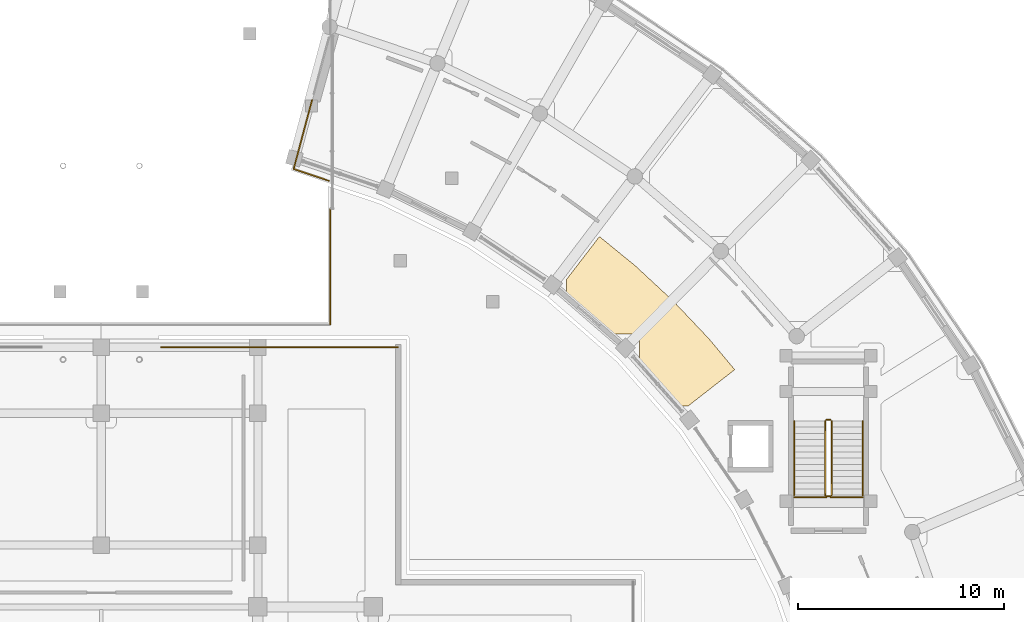
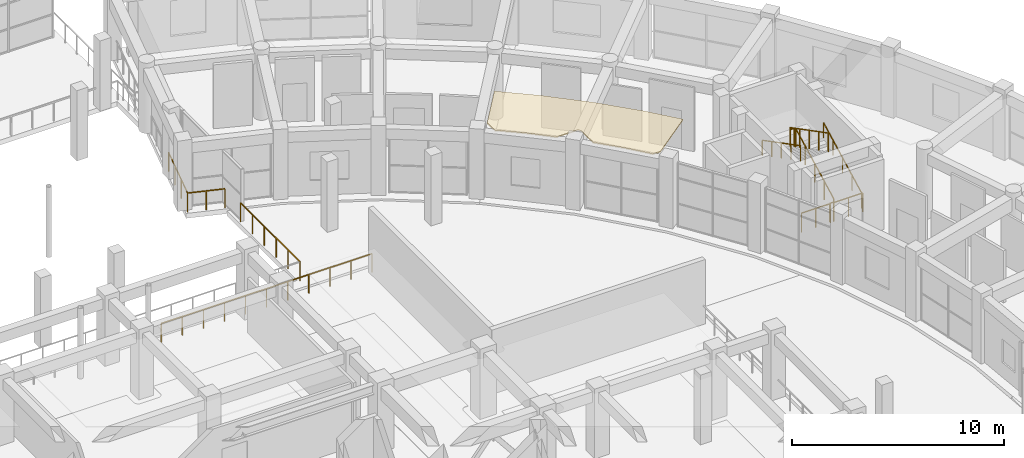
# One storey, part 84 of 87: 12 railings, 1 covering.
"""IFC4 building model written with IfcOpenShell, lengths in metres."""

from ifc_helpers import new_model, si_unit, direction, frame, origin, origin_2d, place, context, subcontext, project, spatial, polyline, rectangle, outline, extrude, material, layer, layer_set, type_object, element, save


model = new_model("IFC4")

# Units and contexts
model_context = context("Model", 3, precision=1e-05, world=origin(), true_north=direction((0.0, 1.0)))
body_context = subcontext(model_context, "Body", "Model", "MODEL_VIEW")
ifc_project = project(units=[si_unit("LENGTHUNIT", "METRE"), si_unit("AREAUNIT", "SQUARE_METRE"), si_unit("VOLUMEUNIT", "CUBIC_METRE"), si_unit("PLANEANGLEUNIT", "RADIAN"), si_unit("MASSUNIT", "GRAM", prefix="KILO")], contexts=[model_context])

# Site, building, storey
site_placement = place(None, origin())
site = spatial("IfcSite", under=ifc_project, at=site_placement, CompositionType="ELEMENT")
building_placement = place(site_placement, origin())
building = spatial("IfcBuilding", under=site, at=building_placement, Name="Saryqyr Civic Hall", CompositionType="ELEMENT")
storey_placement = place(building_placement, frame((0.0, 0.0, 5.10009765625)))
storey = spatial("IfcBuildingStorey", under=building, at=storey_placement, Name="L01", CompositionType="ELEMENT", Elevation=5.10009765625)

# Covering
ifc_material_1 = material(Name="Mineral-fibre acoustic ceiling tile", Category="acoustic_tile")
ifc_layer_1 = layer(ifc_material_1, 0.06005859375, Name="Mineral-fibre acoustic ceiling tile")
ifc_layer_set_1 = layer_set([ifc_layer_1], Name="Mineral-fibre acoustic ceiling tile")
covering_type = type_object("IfcCoveringType", Name="INT-COV-CEIL-60", PredefinedType="CEILING", material=ifc_layer_set_1)
covering_placement = place(storey_placement, frame((0.0, 0.0, 3.7099609375)))
element("IfcCovering", 1, at=covering_placement, inside=storey, type_object=covering_type, Name="Acoustic ceiling Citizen Mediation & Legal Aid Clinic", PredefinedType="CEILING", context=body_context, shape_type="SweptSolid", body=[
    extrude(outline(polyline([(83.077392578125, 109.21875), (83.087890625, 109.24072265625), (83.09619140625, 109.263916015625), (83.10205078125, 109.28759765625), (83.105712890625, 109.31201171875), (83.10693359375, 109.33642578125), (83.10693359375, 110.196533203125), (83.105712890625, 110.220947265625), (83.10205078125, 110.245361328125), (83.09619140625, 110.26904296875), (83.087890625, 110.292236328125), (83.077392578125, 110.314208984375), (83.064697265625, 110.33544921875), (83.05029296875, 110.35498046875), (83.03369140625, 110.373291015625), (83.015380859375, 110.389892578125), (82.995849609375, 110.404296875), (82.974609375, 110.4169921875), (82.95263671875, 110.427490234375), (82.929443359375, 110.435791015625), (82.90576171875, 110.441650390625), (82.88134765625, 110.4453125), (82.85693359375, 110.446533203125), (81.996826171875, 110.446533203125), (81.972412109375, 110.4453125), (81.947998046875, 110.441650390625), (81.92431640625, 110.435791015625), (81.901123046875, 110.427490234375), (81.879150390625, 110.4169921875), (81.85791015625, 110.404296875), (81.848388671875, 110.397216796875), (80.826416015625, 111.345947265625), (80.7998046875, 111.369140625), (79.572265625, 112.37060546875), (79.57275390625, 112.374267578125), (79.573974609375, 112.398681640625), (79.573974609375, 113.090576171875), (81.1689453125, 115.1689453125), (82.90087890625, 113.756103515625), (84.748779296875, 112.041015625), (86.483154296875, 110.2109375), (87.732421875, 108.712158203125), (85.480712890625, 106.95458984375), (85.105712890625, 106.95458984375), (85.081298828125, 106.953369140625), (85.063720703125, 106.95068359375), (84.118408203125, 108.0849609375), (84.094970703125, 108.111328125), (83.06494140625, 109.197998046875), (83.077392578125, 109.21875)])), origin(), (0.0, 0.0, 1.0), 0.06005859375),
])

# Railings
ifc_material_2 = material(Name="Warm brushed brass and laminated glass", Category="glass")
ifc_layer_2 = layer(ifc_material_2, 0.06005859375, Name="Warm brushed brass and laminated glass")
ifc_layer_set_2 = layer_set([ifc_layer_2], Name="Warm brushed brass and laminated glass")
railing_type_1 = type_object("IfcRailingType", Name="INT-RLG-BAL-1100", PredefinedType="BALUSTRADE", material=ifc_layer_set_2)
railing_1_placement = place(storey_placement, frame((59.89990234375, 109.800048828125, 0.0)))
element("IfcRailing", 2, at=railing_1_placement, inside=storey, type_object=railing_type_1, Name="Perimeter safety balustrade V1-JNTGB-L01-05-G01", PredefinedType="BALUSTRADE", context=body_context, shape_type="SweptSolid", body=[
    extrude(rectangle(XDim=0.048095703125, YDim=0.048095703125, at=origin_2d()), frame((0.0, 0.0, 1.076171875), z_axis=(1.0, 0.0, 0.0), x_axis=(0.0, 1.0, 0.0)), (0.0, 0.0, 1.0), 11.5),
    extrude(rectangle(XDim=0.0419921875, YDim=0.0419921875, at=origin_2d()), origin(), (0.0, 0.0, 1.0), 1.052001953125),
    extrude(rectangle(XDim=0.0419921875, YDim=0.0419921875, at=origin_2d()), frame((1.14990234375, 0.0, 0.0)), (0.0, 0.0, 1.0), 1.052001953125),
    extrude(rectangle(XDim=0.0419921875, YDim=0.0419921875, at=origin_2d()), frame((2.300048828125, 0.0, 0.0)), (0.0, 0.0, 1.0), 1.052001953125),
    extrude(rectangle(XDim=0.0419921875, YDim=0.0419921875, at=origin_2d()), frame((3.449951171875, 0.0, 0.0)), (0.0, 0.0, 1.0), 1.052001953125),
    extrude(rectangle(XDim=0.0419921875, YDim=0.0419921875, at=origin_2d()), frame((4.60009765625, 0.0, 0.0)), (0.0, 0.0, 1.0), 1.052001953125),
    extrude(rectangle(XDim=0.0419921875, YDim=0.0419921875, at=origin_2d()), frame((5.75, 0.0, 0.0)), (0.0, 0.0, 1.0), 1.052001953125),
    extrude(rectangle(XDim=0.0419921875, YDim=0.0419921875, at=origin_2d()), frame((6.89990234375, 0.0, 0.0)), (0.0, 0.0, 1.0), 1.052001953125),
    extrude(rectangle(XDim=0.0419921875, YDim=0.0419921875, at=origin_2d()), frame((8.050048828125, 0.0, 0.0)), (0.0, 0.0, 1.0), 1.052001953125),
    extrude(rectangle(XDim=0.0419921875, YDim=0.0419921875, at=origin_2d()), frame((9.199951171875, 0.0, 0.0)), (0.0, 0.0, 1.0), 1.052001953125),
    extrude(rectangle(XDim=0.0419921875, YDim=0.0419921875, at=origin_2d()), frame((10.35009765625, 0.0, 0.0)), (0.0, 0.0, 1.0), 1.052001953125),
    extrude(rectangle(XDim=0.0419921875, YDim=0.0419921875, at=origin_2d()), frame((11.5, 0.0, 0.0)), (0.0, 0.0, 1.0), 1.052001953125),
])
railing_2_placement = place(storey_placement, frame((92.429931640625, 102.6201171875, 0.15576171875)))
element("IfcRailing", 3, at=railing_2_placement, inside=storey, type_object=railing_type_1, Name="L01 ST-6 stair guard 1", PredefinedType="BALUSTRADE", context=body_context, shape_type="SweptSolid", body=[
    extrude(rectangle(XDim=0.048095703125, YDim=0.048095703125, at=origin_2d()), frame((0.0, 0.0, 1.076171875), z_axis=(0.0, 0.887497496945, 0.460812535545), x_axis=(-1.0, 0.0, 0.0)), (0.0, 0.0, 1.0), 4.05615234375),
    extrude(rectangle(XDim=0.0419921875, YDim=0.0419921875, at=origin_2d()), origin(), (0.0, 0.0, 1.0), 1.052001953125),
    extrude(rectangle(XDim=0.0419921875, YDim=0.0419921875, at=origin_2d()), frame((0.0, 0.89990234375, 0.46728515625)), (0.0, 0.0, 1.0), 1.052001953125),
    extrude(rectangle(XDim=0.0419921875, YDim=0.0419921875, at=origin_2d()), frame((0.0, 1.7998046875, 0.9345703125)), (0.0, 0.0, 1.0), 1.052001953125),
    extrude(rectangle(XDim=0.0419921875, YDim=0.0419921875, at=origin_2d()), frame((0.0, 2.699951171875, 1.40185546875)), (0.0, 0.0, 1.0), 1.052001953125),
    extrude(rectangle(XDim=0.0419921875, YDim=0.0419921875, at=origin_2d()), frame((0.0, 3.599853515625, 1.869140625)), (0.0, 0.0, 1.0), 1.052001953125),
])
railing_3_placement = place(storey_placement, frame((92.3798828125, 106.27001953125, 2.02490234375)))
element("IfcRailing", 4, at=railing_3_placement, inside=storey, type_object=railing_type_1, Name="L01 ST-6 stair guard 2", PredefinedType="BALUSTRADE", context=body_context, shape_type="SweptSolid", body=[
    extrude(rectangle(XDim=0.048095703125, YDim=0.048095703125, at=origin_2d()), frame((0.0, 0.0, 1.076171875), z_axis=(-1.0, 0.0, 0.0), x_axis=(0.0, -1.0, 0.0)), (0.0, 0.0, 1.0), 0.199951171875),
    extrude(rectangle(XDim=0.0419921875, YDim=0.0419921875, at=origin_2d()), origin(), (0.0, 0.0, 1.0), 1.052001953125),
    extrude(rectangle(XDim=0.0419921875, YDim=0.0419921875, at=origin_2d()), frame((-0.199951171875, 0.0, 0.0)), (0.0, 0.0, 1.0), 1.052001953125),
])
railing_4_placement = place(storey_placement, frame((92.1298828125, 106.219970703125, 2.1806640625)))
element("IfcRailing", 5, at=railing_4_placement, inside=storey, type_object=railing_type_1, Name="L01 ST-6 stair guard 3", PredefinedType="BALUSTRADE", context=body_context, shape_type="SweptSolid", body=[
    extrude(rectangle(XDim=0.048095703125, YDim=0.048095703125, at=origin_2d()), frame((0.0, 0.0, 1.076171875), z_axis=(0.0, -0.887497496945, 0.460812535545), x_axis=(1.0, 0.0, 0.0)), (0.0, 0.0, 1.0), 4.05615234375),
    extrude(rectangle(XDim=0.0419921875, YDim=0.0419921875, at=origin_2d()), origin(), (0.0, 0.0, 1.0), 1.052001953125),
    extrude(rectangle(XDim=0.0419921875, YDim=0.0419921875, at=origin_2d()), frame((0.0, -0.89990234375, 0.46728515625)), (0.0, 0.0, 1.0), 1.052001953125),
    extrude(rectangle(XDim=0.0419921875, YDim=0.0419921875, at=origin_2d()), frame((0.0, -1.7998046875, 0.9345703125)), (0.0, 0.0, 1.0), 1.052001953125),
    extrude(rectangle(XDim=0.0419921875, YDim=0.0419921875, at=origin_2d()), frame((0.0, -2.699951171875, 1.40185546875)), (0.0, 0.0, 1.0), 1.052001953125),
    extrude(rectangle(XDim=0.0419921875, YDim=0.0419921875, at=origin_2d()), frame((0.0, -3.599853515625, 1.869140625)), (0.0, 0.0, 1.0), 1.052001953125),
])
railing_5_placement = place(storey_placement, frame((92.3798828125, 102.570068359375, 0.0)))
element("IfcRailing", 6, at=railing_5_placement, inside=storey, type_object=railing_type_1, Name="L01 ST-6 stair guard 4", PredefinedType="BALUSTRADE", context=body_context, shape_type="SweptSolid", body=[
    extrude(rectangle(XDim=0.048095703125, YDim=0.048095703125, at=origin_2d()), frame((0.0, 0.0, 1.076171875), z_axis=(-1.0, 0.0, 0.0), x_axis=(0.0, -1.0, 0.0)), (0.0, 0.0, 1.0), 0.199951171875),
    extrude(rectangle(XDim=0.0419921875, YDim=0.0419921875, at=origin_2d()), origin(), (0.0, 0.0, 1.0), 1.052001953125),
    extrude(rectangle(XDim=0.0419921875, YDim=0.0419921875, at=origin_2d()), frame((-0.199951171875, 0.0, 0.0)), (0.0, 0.0, 1.0), 1.052001953125),
])
railing_6_placement = place(storey_placement, frame((90.60498046875, 102.52001953125, 0.0)))
element("IfcRailing", 7, at=railing_6_placement, inside=storey, type_object=railing_type_1, Name="Interior deck safety balustrade L01-060", PredefinedType="BALUSTRADE", context=body_context, shape_type="SweptSolid", body=[
    extrude(rectangle(XDim=0.048095703125, YDim=0.048095703125, at=origin_2d()), frame((0.0, 0.0, 1.09619140625), z_axis=(1.0, 0.0, 0.0), x_axis=(0.0, 1.0, 0.0)), (0.0, 0.0, 1.0), 1.574951171875),
    extrude(rectangle(XDim=0.0419921875, YDim=0.0419921875, at=origin_2d()), origin(), (0.0, 0.0, 1.0), 1.072021484375),
    extrude(rectangle(XDim=0.0419921875, YDim=0.0419921875, at=origin_2d()), frame((0.78759765625, 0.0, 0.0)), (0.0, 0.0, 1.0), 1.072021484375),
    extrude(rectangle(XDim=0.0419921875, YDim=0.0419921875, at=origin_2d()), frame((1.574951171875, 0.0, 0.0)), (0.0, 0.0, 1.0), 1.072021484375),
])
railing_7_placement = place(storey_placement, frame((92.3798828125, 102.52001953125, 0.0)))
element("IfcRailing", 8, at=railing_7_placement, inside=storey, type_object=railing_type_1, Name="Interior deck safety balustrade L01-061", PredefinedType="BALUSTRADE", context=body_context, shape_type="SweptSolid", body=[
    extrude(rectangle(XDim=0.048095703125, YDim=0.048095703125, at=origin_2d()), frame((0.0, 0.0, 1.09619140625), z_axis=(1.0, 0.0, 0.0), x_axis=(0.0, 1.0, 0.0)), (0.0, 0.0, 1.0), 1.5751953125),
    extrude(rectangle(XDim=0.0419921875, YDim=0.0419921875, at=origin_2d()), origin(), (0.0, 0.0, 1.0), 1.072021484375),
    extrude(rectangle(XDim=0.0419921875, YDim=0.0419921875, at=origin_2d()), frame((0.78759765625, 0.0, 0.0)), (0.0, 0.0, 1.0), 1.072021484375),
    extrude(rectangle(XDim=0.0419921875, YDim=0.0419921875, at=origin_2d()), frame((1.5751953125, 0.0, 0.0)), (0.0, 0.0, 1.0), 1.072021484375),
])
railing_8_placement = place(storey_placement, frame((68.10009765625, 110.89990234375, 0.0)))
element("IfcRailing", 9, at=railing_8_placement, inside=storey, type_object=railing_type_1, Name="Interior deck safety balustrade L01-068", PredefinedType="BALUSTRADE", context=body_context, shape_type="SweptSolid", body=[
    extrude(rectangle(XDim=0.048095703125, YDim=0.048095703125, at=origin_2d()), frame((0.0, 0.0, 1.09619140625), z_axis=(0.0, 1.0, 0.0), x_axis=(-1.0, 0.0, 0.0)), (0.0, 0.0, 1.0), 5.60009765625),
    extrude(rectangle(XDim=0.0419921875, YDim=0.0419921875, at=origin_2d()), origin(), (0.0, 0.0, 1.0), 1.072021484375),
    extrude(rectangle(XDim=0.0419921875, YDim=0.0419921875, at=origin_2d()), frame((0.0, 1.1201171875, 0.0)), (0.0, 0.0, 1.0), 1.072021484375),
    extrude(rectangle(XDim=0.0419921875, YDim=0.0419921875, at=origin_2d()), frame((0.0, 2.239990234375, 0.0)), (0.0, 0.0, 1.0), 1.072021484375),
    extrude(rectangle(XDim=0.0419921875, YDim=0.0419921875, at=origin_2d()), frame((0.0, 3.360107421875, 0.0)), (0.0, 0.0, 1.0), 1.072021484375),
    extrude(rectangle(XDim=0.0419921875, YDim=0.0419921875, at=origin_2d()), frame((0.0, 4.47998046875, 0.0)), (0.0, 0.0, 1.0), 1.072021484375),
    extrude(rectangle(XDim=0.0419921875, YDim=0.0419921875, at=origin_2d()), frame((0.0, 5.60009765625, 0.0)), (0.0, 0.0, 1.0), 1.072021484375),
])
railing_9_placement = place(storey_placement, frame((68.0400390625, 117.872802734375, 0.0)))
element("IfcRailing", 10, at=railing_9_placement, inside=storey, type_object=railing_type_1, Name="Interior deck safety balustrade L01-069", PredefinedType="BALUSTRADE", context=body_context, shape_type="SweptSolid", body=[
    extrude(rectangle(XDim=0.048095703125, YDim=0.048095703125, at=origin_2d()), frame((0.0, 0.0, 1.09619140625), z_axis=(-0.946933760582, 0.321428768266, 0.0), x_axis=(-0.321428768266, -0.946933760582, 0.0)), (0.0, 0.0, 1.0), 1.80078125),
    extrude(rectangle(XDim=0.0419921875, YDim=0.0419921875, at=origin_2d()), origin(), (0.0, 0.0, 1.0), 1.072021484375),
    extrude(rectangle(XDim=0.0419921875, YDim=0.0419921875, at=origin_2d()), frame((-0.8525390625, 0.28955078125, 0.0)), (0.0, 0.0, 1.0), 1.072021484375),
    extrude(rectangle(XDim=0.0419921875, YDim=0.0419921875, at=origin_2d()), frame((-1.705322265625, 0.578857421875, 0.0)), (0.0, 0.0, 1.0), 1.072021484375),
])
railing_10_placement = place(storey_placement, frame((66.334716796875, 118.45166015625, 0.0)))
element("IfcRailing", 11, at=railing_10_placement, inside=storey, type_object=railing_type_1, Name="Interior deck safety balustrade L01-070", PredefinedType="BALUSTRADE", context=body_context, shape_type="SweptSolid", body=[
    extrude(rectangle(XDim=0.048095703125, YDim=0.048095703125, at=origin_2d()), frame((0.0, 0.0, 1.09619140625), z_axis=(0.258871423094, 0.965911790126, 0.0), x_axis=(-0.965911790126, 0.258871423094, 0.0)), (0.0, 0.0, 1.0), 3.45654296875),
    extrude(rectangle(XDim=0.0419921875, YDim=0.0419921875, at=origin_2d()), origin(), (0.0, 0.0, 1.0), 1.072021484375),
    extrude(rectangle(XDim=0.0419921875, YDim=0.0419921875, at=origin_2d()), frame((0.29833984375, 1.11279296875, 0.0)), (0.0, 0.0, 1.0), 1.072021484375),
    extrude(rectangle(XDim=0.0419921875, YDim=0.0419921875, at=origin_2d()), frame((0.596435546875, 2.225830078125, 0.0)), (0.0, 0.0, 1.0), 1.072021484375),
    extrude(rectangle(XDim=0.0419921875, YDim=0.0419921875, at=origin_2d()), frame((0.894775390625, 3.338623046875, 0.0)), (0.0, 0.0, 1.0), 1.072021484375),
])
ifc_material_3 = material(Name="Stainless steel", Category="steel")
ifc_layer_3 = layer(ifc_material_3, 0.050048828125, Name="Stainless steel")
ifc_layer_set_3 = layer_set([ifc_layer_3], Name="Stainless steel")
railing_type_2 = type_object("IfcRailingType", Name="INT-RLG-HND-900", PredefinedType="HANDRAIL", material=ifc_layer_set_3)
railing_11_placement = place(storey_placement, frame((93.949951171875, 102.6201171875, 0.15576171875)))
element("IfcRailing", 12, at=railing_11_placement, inside=storey, type_object=railing_type_2, Name="L01 ST-6 stair handrail 1", PredefinedType="HANDRAIL", context=body_context, shape_type="SweptSolid", body=[
    extrude(rectangle(XDim=0.048095703125, YDim=0.048095703125, at=origin_2d()), frame((0.0, 0.0, 0.8759765625), z_axis=(0.0, 0.887497496945, 0.460812535545), x_axis=(-1.0, 0.0, 0.0)), (0.0, 0.0, 1.0), 4.05615234375),
    extrude(rectangle(XDim=0.0419921875, YDim=0.0419921875, at=origin_2d()), origin(), (0.0, 0.0, 1.0), 0.851806640625),
    extrude(rectangle(XDim=0.0419921875, YDim=0.0419921875, at=origin_2d()), frame((0.0, 0.89990234375, 0.46728515625)), (0.0, 0.0, 1.0), 0.851806640625),
    extrude(rectangle(XDim=0.0419921875, YDim=0.0419921875, at=origin_2d()), frame((0.0, 1.7998046875, 0.9345703125)), (0.0, 0.0, 1.0), 0.851806640625),
    extrude(rectangle(XDim=0.0419921875, YDim=0.0419921875, at=origin_2d()), frame((0.0, 2.699951171875, 1.40185546875)), (0.0, 0.0, 1.0), 0.851806640625),
    extrude(rectangle(XDim=0.0419921875, YDim=0.0419921875, at=origin_2d()), frame((0.0, 3.599853515625, 1.869140625)), (0.0, 0.0, 1.0), 0.851806640625),
])
railing_12_placement = place(storey_placement, frame((90.610107421875, 106.219970703125, 2.1806640625)))
element("IfcRailing", 13, at=railing_12_placement, inside=storey, type_object=railing_type_2, Name="L01 ST-6 stair handrail 2", PredefinedType="HANDRAIL", context=body_context, shape_type="SweptSolid", body=[
    extrude(rectangle(XDim=0.048095703125, YDim=0.048095703125, at=origin_2d()), frame((0.0, 0.0, 0.8759765625), z_axis=(0.0, -0.887497496945, 0.460812535545), x_axis=(1.0, 0.0, 0.0)), (0.0, 0.0, 1.0), 4.05615234375),
    extrude(rectangle(XDim=0.0419921875, YDim=0.0419921875, at=origin_2d()), origin(), (0.0, 0.0, 1.0), 0.851806640625),
    extrude(rectangle(XDim=0.0419921875, YDim=0.0419921875, at=origin_2d()), frame((0.0, -0.89990234375, 0.46728515625)), (0.0, 0.0, 1.0), 0.851806640625),
    extrude(rectangle(XDim=0.0419921875, YDim=0.0419921875, at=origin_2d()), frame((0.0, -1.7998046875, 0.9345703125)), (0.0, 0.0, 1.0), 0.851806640625),
    extrude(rectangle(XDim=0.0419921875, YDim=0.0419921875, at=origin_2d()), frame((0.0, -2.699951171875, 1.40185546875)), (0.0, 0.0, 1.0), 0.851806640625),
    extrude(rectangle(XDim=0.0419921875, YDim=0.0419921875, at=origin_2d()), frame((0.0, -3.599853515625, 1.869140625)), (0.0, 0.0, 1.0), 0.851806640625),
])

save(model, "model.ifc")
